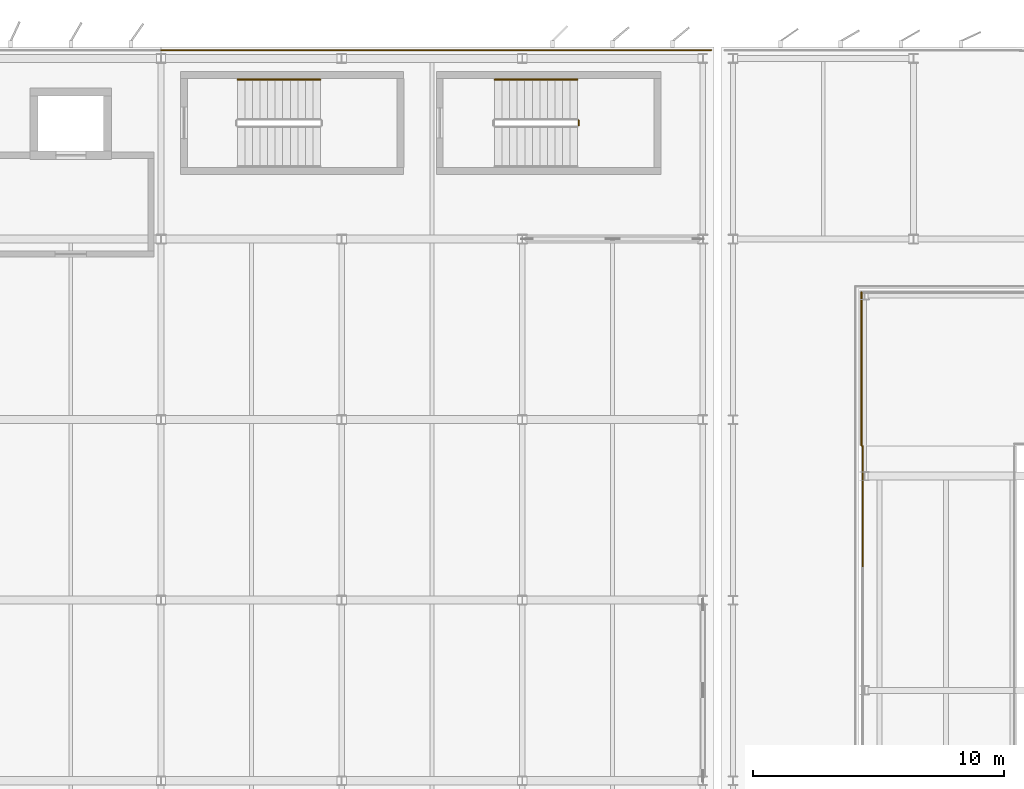
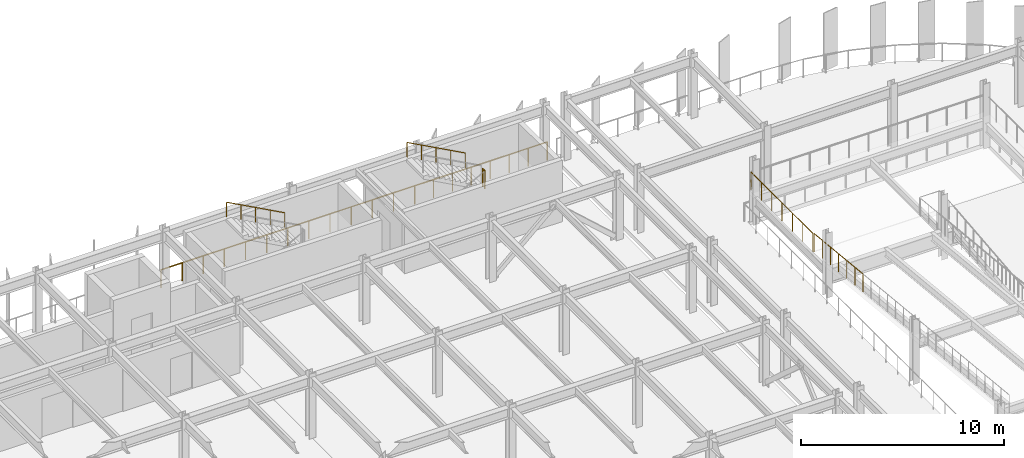
# One storey, part 69 of 80: 8 railings.
"""IFC4 building model written with IfcOpenShell, lengths in metres."""

from ifc_helpers import new_model, si_unit, direction, frame, origin, origin_2d, place, context, subcontext, project, spatial, circle, extrude, material, layer, layer_set, type_object, element, save


model = new_model("IFC4")

# Units and contexts
model_context = context("Model", 3, precision=1e-05, world=origin(), true_north=direction((0.0, 1.0)))
body_context = subcontext(model_context, "Body", "Model", "MODEL_VIEW")
ifc_project = project(units=[si_unit("LENGTHUNIT", "METRE"), si_unit("AREAUNIT", "SQUARE_METRE"), si_unit("VOLUMEUNIT", "CUBIC_METRE"), si_unit("PLANEANGLEUNIT", "RADIAN"), si_unit("MASSUNIT", "GRAM", prefix="KILO")], contexts=[model_context])

# Site, building, storey
site_placement = place(None, origin())
site = spatial("IfcSite", under=ifc_project, at=site_placement, CompositionType="ELEMENT")
building_placement = place(site_placement, origin())
building = spatial("IfcBuilding", under=site, at=building_placement, Name="Vaelcorin Mobility Hub", CompositionType="ELEMENT")
storey_placement = place(building_placement, frame((0.0, 0.0, 9.300048828125)))
storey = spatial("IfcBuildingStorey", under=building, at=storey_placement, Name="L02", CompositionType="ELEMENT", Elevation=9.300048828125)

# Railings
ifc_material_1 = material(Name="Galvanised structural steel ASTM A36", Category="steel")
ifc_layer_1 = layer(ifc_material_1, 0.070068359375)
ifc_layer_set_1 = layer_set([ifc_layer_1], Name="Galvanised structural steel ASTM A36")
railing_type_1 = type_object("IfcRailingType", Name="RL-GUARD-1100", PredefinedType="BALUSTRADE", material=ifc_layer_set_1)
for number, where, name in (
    (1, (100.800048828125, 120.330078125, 0.0), "L02 Perimeter Guard GR-V4-L02-N-10-01"),
    (2, (108.0, 120.330078125, 0.0), "L02 Perimeter Guard GR-V4-L02-N-11-01"),
):
    element("IfcRailing", number, at=place(storey_placement, frame(where)), inside=storey, type_object=railing_type_1, Name=name, PredefinedType="BALUSTRADE", context=body_context, shape_type="SweptSolid", body=[
        extrude(circle(Radius=0.02392578125, at=origin_2d()), frame((0.0, 0.0, 1.076171875), z_axis=(1.0, 0.0, 0.0), x_axis=(0.0, 1.0, 0.0)), (0.0, 0.0, 1.0), 7.199951171875),
        extrude(circle(Radius=0.02099609375, at=origin_2d()), origin(), (0.0, 0.0, 1.0), 1.052001953125),
        extrude(circle(Radius=0.02099609375, at=origin_2d()), frame((1.199951171875, 0.0, 0.0)), (0.0, 0.0, 1.0), 1.052001953125),
        extrude(circle(Radius=0.02099609375, at=origin_2d()), frame((2.39990234375, 0.0, 0.0)), (0.0, 0.0, 1.0), 1.052001953125),
        extrude(circle(Radius=0.02099609375, at=origin_2d()), frame((3.60009765625, 0.0, 0.0)), (0.0, 0.0, 1.0), 1.052001953125),
        extrude(circle(Radius=0.02099609375, at=origin_2d()), frame((4.800048828125, 0.0, 0.0)), (0.0, 0.0, 1.0), 1.052001953125),
        extrude(circle(Radius=0.02099609375, at=origin_2d()), frame((6.0, 0.0, 0.0)), (0.0, 0.0, 1.0), 1.052001953125),
        extrude(circle(Radius=0.02099609375, at=origin_2d()), frame((7.199951171875, 0.0, 0.0)), (0.0, 0.0, 1.0), 1.052001953125),
    ])
railing_1_placement = place(storey_placement, frame((115.199951171875, 120.330078125, 0.0)))
element("IfcRailing", 3, at=railing_1_placement, inside=storey, type_object=railing_type_1, Name="L02 Perimeter Guard GR-V4-L02-N-12-01", PredefinedType="BALUSTRADE", context=body_context, shape_type="SweptSolid", body=[
    extrude(circle(Radius=0.02392578125, at=origin_2d()), frame((0.0, 0.0, 1.076171875), z_axis=(1.0, 0.0, 0.0), x_axis=(0.0, 1.0, 0.0)), (0.0, 0.0, 1.0), 7.530029296875),
    extrude(circle(Radius=0.02099609375, at=origin_2d()), origin(), (0.0, 0.0, 1.0), 1.052001953125),
    extrude(circle(Radius=0.02099609375, at=origin_2d()), frame((1.07568359375, 0.0, 0.0)), (0.0, 0.0, 1.0), 1.052001953125),
    extrude(circle(Radius=0.02099609375, at=origin_2d()), frame((2.1513671875, 0.0, 0.0)), (0.0, 0.0, 1.0), 1.052001953125),
    extrude(circle(Radius=0.02099609375, at=origin_2d()), frame((3.22705078125, 0.0, 0.0)), (0.0, 0.0, 1.0), 1.052001953125),
    extrude(circle(Radius=0.02099609375, at=origin_2d()), frame((4.302978515625, 0.0, 0.0)), (0.0, 0.0, 1.0), 1.052001953125),
    extrude(circle(Radius=0.02099609375, at=origin_2d()), frame((5.378662109375, 0.0, 0.0)), (0.0, 0.0, 1.0), 1.052001953125),
    extrude(circle(Radius=0.02099609375, at=origin_2d()), frame((6.454345703125, 0.0, 0.0)), (0.0, 0.0, 1.0), 1.052001953125),
    extrude(circle(Radius=0.02099609375, at=origin_2d()), frame((7.530029296875, 0.0, 0.0)), (0.0, 0.0, 1.0), 1.052001953125),
])
railing_2_placement = place(storey_placement, frame((128.780029296875, 104.5400390625, 1.949951171875)))
element("IfcRailing", 4, at=railing_2_placement, inside=storey, type_object=railing_type_1, Name="L02 Ramp Guard GR-V2E-L02-FL2-W-01", PredefinedType="BALUSTRADE", context=body_context, shape_type="SweptSolid", body=[
    extrude(circle(Radius=0.02392578125, at=origin_2d()), frame((0.0, 0.0, 1.076171875), z_axis=(0.0, -0.994860105467, 0.10125892825), x_axis=(1.0, 0.0, 0.0)), (0.0, 0.0, 1.0), 4.819580078125),
    extrude(circle(Radius=0.02099609375, at=origin_2d()), origin(), (0.0, 0.0, 1.0), 1.052001953125),
    extrude(circle(Radius=0.02099609375, at=origin_2d()), frame((0.0, -0.799072265625, 0.081298828125)), (0.0, 0.0, 1.0), 1.052001953125),
    extrude(circle(Radius=0.02099609375, at=origin_2d()), frame((0.0, -1.598388671875, 0.16259765625)), (0.0, 0.0, 1.0), 1.052001953125),
    extrude(circle(Radius=0.02099609375, at=origin_2d()), frame((0.0, -2.3974609375, 0.244140625)), (0.0, 0.0, 1.0), 1.052001953125),
    extrude(circle(Radius=0.02099609375, at=origin_2d()), frame((0.0, -3.196533203125, 0.325439453125)), (0.0, 0.0, 1.0), 1.052001953125),
    extrude(circle(Radius=0.02099609375, at=origin_2d()), frame((0.0, -3.995849609375, 0.40673828125)), (0.0, 0.0, 1.0), 1.052001953125),
    extrude(circle(Radius=0.02099609375, at=origin_2d()), frame((0.0, -4.794921875, 0.488037109375)), (0.0, 0.0, 1.0), 1.052001953125),
])
railing_3_placement = place(storey_placement, frame((128.72998046875, 104.56005859375, 1.949951171875)))
element("IfcRailing", 5, at=railing_3_placement, inside=storey, type_object=railing_type_1, Name="L02 Perimeter Guard GR-V2E-L02-LND-01", PredefinedType="BALUSTRADE", context=body_context, shape_type="SweptSolid", body=[
    extrude(circle(Radius=0.02392578125, at=origin_2d()), frame((0.0, 0.0, 1.076171875), z_axis=(0.0, 1.0, 0.0), x_axis=(-1.0, 0.0, 0.0)), (0.0, 0.0, 1.0), 6.10986328125),
    extrude(circle(Radius=0.02099609375, at=origin_2d()), origin(), (0.0, 0.0, 1.0), 1.052001953125),
    extrude(circle(Radius=0.02099609375, at=origin_2d()), frame((0.0, 1.018310546875, 0.0)), (0.0, 0.0, 1.0), 1.052001953125),
    extrude(circle(Radius=0.02099609375, at=origin_2d()), frame((0.0, 2.03662109375, 0.0)), (0.0, 0.0, 1.0), 1.052001953125),
    extrude(circle(Radius=0.02099609375, at=origin_2d()), frame((0.0, 3.054931640625, 0.0)), (0.0, 0.0, 1.0), 1.052001953125),
    extrude(circle(Radius=0.02099609375, at=origin_2d()), frame((0.0, 4.0732421875, 0.0)), (0.0, 0.0, 1.0), 1.052001953125),
    extrude(circle(Radius=0.02099609375, at=origin_2d()), frame((0.0, 5.091552734375, 0.0)), (0.0, 0.0, 1.0), 1.052001953125),
    extrude(circle(Radius=0.02099609375, at=origin_2d()), frame((0.0, 6.10986328125, 0.0)), (0.0, 0.0, 1.0), 1.052001953125),
])
ifc_material_2 = material(Name="Brushed stainless steel 316L", Category="steel")
ifc_layer_2 = layer(ifc_material_2, 0.048095703125)
ifc_layer_set_2 = layer_set([ifc_layer_2], Name="Brushed stainless steel 316L")
railing_type_2 = type_object("IfcRailingType", Name="RL-STAIR-GRD", PredefinedType="GUARDRAIL", material=ifc_layer_set_2)
railing_4_placement = place(storey_placement, frame((117.449951171875, 117.330078125, 1.949951171875)))
element("IfcRailing", 6, at=railing_4_placement, inside=storey, type_object=railing_type_2, Name="L02 ST9 stair guard 2", PredefinedType="GUARDRAIL", context=body_context, shape_type="SweptSolid", body=[
    extrude(circle(Radius=0.02392578125, at=origin_2d()), frame((0.0, 0.0, 1.076171875), z_axis=(0.0, 1.0, 0.0), x_axis=(-1.0, 0.0, 0.0)), (0.0, 0.0, 1.0), 0.199951171875),
    extrude(circle(Radius=0.02099609375, at=origin_2d()), origin(), (0.0, 0.0, 1.0), 1.052001953125),
    extrude(circle(Radius=0.02099609375, at=origin_2d()), frame((0.0, 0.199951171875, 0.0)), (0.0, 0.0, 1.0), 1.052001953125),
])
ifc_layer_3 = layer(ifc_material_2, 0.048095703125)
ifc_layer_set_3 = layer_set([ifc_layer_3], Name="Brushed stainless steel 316L")
railing_type_3 = type_object("IfcRailingType", Name="RL-STAIR-HR", PredefinedType="HANDRAIL", material=ifc_layer_set_3)
for number, where, name in (
    (7, (107.14990234375, 119.159912109375, 2.112548828125), "L02 ST4 stair handrail 2"),
    (8, (117.39990234375, 119.159912109375, 2.112548828125), "L02 ST9 stair handrail 2"),
):
    element("IfcRailing", number, at=place(storey_placement, frame(where)), inside=storey, type_object=railing_type_3, Name=name, PredefinedType="HANDRAIL", context=body_context, shape_type="SweptSolid", body=[
        extrude(circle(Radius=0.02392578125, at=origin_2d()), frame((0.0, 0.0, 0.8759765625), z_axis=(-0.879296507316, 0.0, 0.476274765468), x_axis=(0.0, -1.0, 0.0)), (0.0, 0.0, 1.0), 3.752685546875),
        extrude(circle(Radius=0.02099609375, at=origin_2d()), origin(), (0.0, 0.0, 1.0), 0.851806640625),
        extrude(circle(Radius=0.02099609375, at=origin_2d()), frame((-0.824951171875, 0.0, 0.44677734375)), (0.0, 0.0, 1.0), 0.851806640625),
        extrude(circle(Radius=0.02099609375, at=origin_2d()), frame((-1.64990234375, 0.0, 0.8935546875)), (0.0, 0.0, 1.0), 0.851806640625),
        extrude(circle(Radius=0.02099609375, at=origin_2d()), frame((-2.474853515625, 0.0, 1.340576171875)), (0.0, 0.0, 1.0), 0.851806640625),
        extrude(circle(Radius=0.02099609375, at=origin_2d()), frame((-3.2998046875, 0.0, 1.787353515625)), (0.0, 0.0, 1.0), 0.851806640625),
    ])

save(model, "model.ifc")
